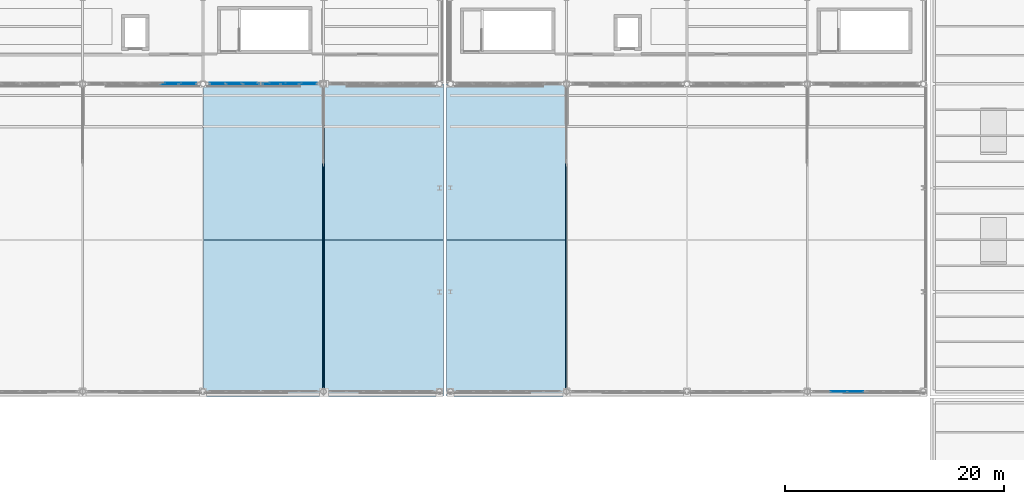
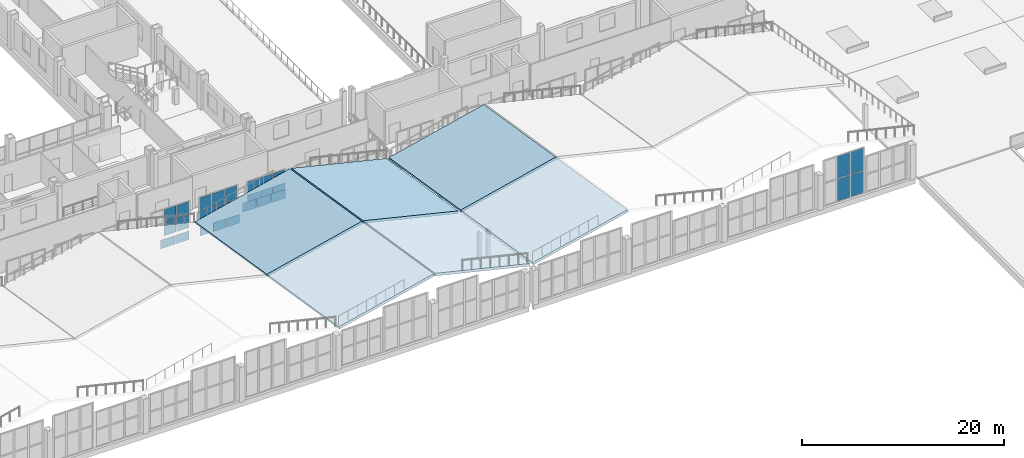
# One storey, part 82 of 120: 28 plates, 6 slabs, 7 elements without a shape of their own.
"""IFC4 building model written with IfcOpenShell, lengths in metres."""

from ifc_helpers import new_model, si_unit, direction, frame, origin, origin_2d, place, context, subcontext, project, spatial, polyline, rectangle, outline, extrude, material, layer, layer_set, type_object, element, aggregate, save


model = new_model("IFC4")

# Units and contexts
model_context = context("Model", 3, precision=1e-05, world=origin(), true_north=direction((0.0, 1.0)))
body_context = subcontext(model_context, "Body", "Model", "MODEL_VIEW")
ifc_project = project(units=[si_unit("LENGTHUNIT", "METRE"), si_unit("AREAUNIT", "SQUARE_METRE"), si_unit("VOLUMEUNIT", "CUBIC_METRE"), si_unit("PLANEANGLEUNIT", "RADIAN"), si_unit("MASSUNIT", "GRAM", prefix="KILO")], contexts=[model_context])

# Site, building, storey
site_placement = place(None, origin())
site = spatial("IfcSite", under=ifc_project, at=site_placement, CompositionType="ELEMENT")
building_placement = place(site_placement, origin())
building = spatial("IfcBuilding", under=site, at=building_placement, Name="Caurita Quay Ferry Terminal", CompositionType="ELEMENT")
storey_placement = place(building_placement, frame((0.0, 0.0, 9.89990234375)))
storey = spatial("IfcBuildingStorey", under=building, at=storey_placement, Name="L02", CompositionType="ELEMENT", Elevation=9.89990234375)

# Curtain wall, plates
ifc_material_1 = material(Name="Laminated solar-control insulated glass", Category="glass")
curtain_wall_type_1 = type_object("IfcCurtainWallType", Name="CW-SYS-13", PredefinedType="NOTDEFINED", material=ifc_material_1)
curtain_wall_1_placement = place(storey_placement, origin())
curtain_wall_1 = element("IfcCurtainWall", 1, at=curtain_wall_1_placement, inside=storey, type_object=curtain_wall_type_1, Name="Mezzanine Hall Overlook Glazing 100", PredefinedType="NOTDEFINED")
ifc_layer_1 = layer(ifc_material_1, 0.02392578125, Name="Laminated low-e hurricane-rated glazing unit 24 mm")
ifc_layer_set_1 = layer_set([ifc_layer_1], Name="Laminated solar-control insulated glass")
plate_type_1 = type_object("IfcPlateType", Name="CW-PNL-24", PredefinedType="CURTAIN_PANEL", material=ifc_layer_set_1)
plate_1_placement = place(storey_placement, frame((63.25, 62.800048828125, 0.05810546875), z_axis=(0.0, 0.0, 1.0), x_axis=(1.0, 0.0, 0.0)))
plate_1 = element("IfcPlate", 2, at=plate_1_placement, type_object=plate_type_1, Name="CW-MZL-100 Glazing Panel 3", PredefinedType="CURTAIN_PANEL", context=body_context, shape_type="SweptSolid", body=[
    extrude(rectangle(XDim=1.41064453125, YDim=0.02392578125, at=origin_2d()), origin(), (0.0, 0.0, 1.0), 1.56396484375),
])
plate_2_placement = place(storey_placement, frame((63.25, 62.800048828125, 1.67822265625), z_axis=(0.0, 0.0, 1.0), x_axis=(1.0, 0.0, 0.0)))
plate_2 = element("IfcPlate", 3, at=plate_2_placement, type_object=plate_type_1, Name="CW-MZL-100 Glazing Panel 4", PredefinedType="CURTAIN_PANEL", context=body_context, shape_type="SweptSolid", body=[
    extrude(rectangle(XDim=1.41064453125, YDim=0.02392578125, at=origin_2d()), origin(), (0.0, 0.0, 1.0), 1.56396484375),
])
plate_3_placement = place(storey_placement, frame((64.70166015625, 62.800048828125, 0.05810546875), z_axis=(0.0, 0.0, 1.0), x_axis=(1.0, 0.0, 0.0)))
plate_3 = element("IfcPlate", 4, at=plate_3_placement, type_object=plate_type_1, Name="CW-MZL-100 Glazing Panel 5", PredefinedType="CURTAIN_PANEL", context=body_context, shape_type="SweptSolid", body=[
    extrude(rectangle(XDim=1.380615234375, YDim=0.02392578125, at=origin_2d()), origin(), (0.0, 0.0, 1.0), 1.56396484375),
])
plate_4_placement = place(storey_placement, frame((64.70166015625, 62.800048828125, 1.67822265625), z_axis=(0.0, 0.0, 1.0), x_axis=(1.0, 0.0, 0.0)))
plate_4 = element("IfcPlate", 5, at=plate_4_placement, type_object=plate_type_1, Name="CW-MZL-100 Glazing Panel 6", PredefinedType="CURTAIN_PANEL", context=body_context, shape_type="SweptSolid", body=[
    extrude(rectangle(XDim=1.380615234375, YDim=0.02392578125, at=origin_2d()), origin(), (0.0, 0.0, 1.0), 1.56396484375),
])
aggregate(curtain_wall_1, [plate_1, plate_2, plate_3, plate_4])

curtain_wall_2_placement = place(storey_placement, origin())
curtain_wall_2 = element("IfcCurtainWall", 6, at=curtain_wall_2_placement, inside=storey, type_object=curtain_wall_type_1, Name="Mezzanine Hall Overlook Glazing 101", PredefinedType="NOTDEFINED")
plate_5_placement = place(storey_placement, frame((67.29833984375, 62.800048828125, 0.05810546875), z_axis=(0.0, 0.0, 1.0), x_axis=(1.0, 0.0, 0.0)))
plate_5 = element("IfcPlate", 7, at=plate_5_placement, type_object=plate_type_1, Name="CW-MZL-101 Glazing Panel 1", PredefinedType="CURTAIN_PANEL", context=body_context, shape_type="SweptSolid", body=[
    extrude(rectangle(XDim=1.380615234375, YDim=0.02392578125, at=origin_2d()), origin(), (0.0, 0.0, 1.0), 1.56396484375),
])
plate_6_placement = place(storey_placement, frame((67.29833984375, 62.800048828125, 1.67822265625), z_axis=(0.0, 0.0, 1.0), x_axis=(1.0, 0.0, 0.0)))
plate_6 = element("IfcPlate", 8, at=plate_6_placement, type_object=plate_type_1, Name="CW-MZL-101 Glazing Panel 2", PredefinedType="CURTAIN_PANEL", context=body_context, shape_type="SweptSolid", body=[
    extrude(rectangle(XDim=1.380615234375, YDim=0.02392578125, at=origin_2d()), origin(), (0.0, 0.0, 1.0), 1.56396484375),
])
plate_7_placement = place(storey_placement, frame((68.75, 62.800048828125, 0.05810546875), z_axis=(0.0, 0.0, 1.0), x_axis=(1.0, 0.0, 0.0)))
plate_7 = element("IfcPlate", 9, at=plate_7_placement, type_object=plate_type_1, Name="CW-MZL-101 Glazing Panel 3", PredefinedType="CURTAIN_PANEL", context=body_context, shape_type="SweptSolid", body=[
    extrude(rectangle(XDim=1.41064453125, YDim=0.02392578125, at=origin_2d()), origin(), (0.0, 0.0, 1.0), 1.56396484375),
])
plate_8_placement = place(storey_placement, frame((68.75, 62.800048828125, 1.67822265625), z_axis=(0.0, 0.0, 1.0), x_axis=(1.0, 0.0, 0.0)))
plate_8 = element("IfcPlate", 10, at=plate_8_placement, type_object=plate_type_1, Name="CW-MZL-101 Glazing Panel 4", PredefinedType="CURTAIN_PANEL", context=body_context, shape_type="SweptSolid", body=[
    extrude(rectangle(XDim=1.41064453125, YDim=0.02392578125, at=origin_2d()), origin(), (0.0, 0.0, 1.0), 1.56396484375),
])
plate_9_placement = place(storey_placement, frame((70.20166015625, 62.800048828125, 0.05810546875), z_axis=(0.0, 0.0, 1.0), x_axis=(1.0, 0.0, 0.0)))
plate_9 = element("IfcPlate", 11, at=plate_9_placement, type_object=plate_type_1, Name="CW-MZL-101 Glazing Panel 5", PredefinedType="CURTAIN_PANEL", context=body_context, shape_type="SweptSolid", body=[
    extrude(rectangle(XDim=1.380615234375, YDim=0.02392578125, at=origin_2d()), origin(), (0.0, 0.0, 1.0), 1.56396484375),
])
plate_10_placement = place(storey_placement, frame((70.20166015625, 62.800048828125, 1.67822265625), z_axis=(0.0, 0.0, 1.0), x_axis=(1.0, 0.0, 0.0)))
plate_10 = element("IfcPlate", 12, at=plate_10_placement, type_object=plate_type_1, Name="CW-MZL-101 Glazing Panel 6", PredefinedType="CURTAIN_PANEL", context=body_context, shape_type="SweptSolid", body=[
    extrude(rectangle(XDim=1.380615234375, YDim=0.02392578125, at=origin_2d()), origin(), (0.0, 0.0, 1.0), 1.56396484375),
])
aggregate(curtain_wall_2, [plate_5, plate_6, plate_7, plate_8, plate_9, plate_10])

curtain_wall_3_placement = place(storey_placement, origin())
curtain_wall_3 = element("IfcCurtainWall", 13, at=curtain_wall_3_placement, inside=storey, type_object=curtain_wall_type_1, Name="Mezzanine Hall Overlook Glazing 102", PredefinedType="NOTDEFINED")
plate_11_placement = place(storey_placement, frame((72.79833984375, 62.800048828125, 0.05810546875), z_axis=(0.0, 0.0, 1.0), x_axis=(1.0, 0.0, 0.0)))
plate_11 = element("IfcPlate", 14, at=plate_11_placement, type_object=plate_type_1, Name="CW-MZL-102 Glazing Panel 1", PredefinedType="CURTAIN_PANEL", context=body_context, shape_type="SweptSolid", body=[
    extrude(rectangle(XDim=1.380615234375, YDim=0.02392578125, at=origin_2d()), origin(), (0.0, 0.0, 1.0), 1.56396484375),
])
plate_12_placement = place(storey_placement, frame((72.79833984375, 62.800048828125, 1.67822265625), z_axis=(0.0, 0.0, 1.0), x_axis=(1.0, 0.0, 0.0)))
plate_12 = element("IfcPlate", 15, at=plate_12_placement, type_object=plate_type_1, Name="CW-MZL-102 Glazing Panel 2", PredefinedType="CURTAIN_PANEL", context=body_context, shape_type="SweptSolid", body=[
    extrude(rectangle(XDim=1.380615234375, YDim=0.02392578125, at=origin_2d()), origin(), (0.0, 0.0, 1.0), 1.56396484375),
])
plate_13_placement = place(storey_placement, frame((74.25, 62.800048828125, 0.05810546875), z_axis=(0.0, 0.0, 1.0), x_axis=(1.0, 0.0, 0.0)))
plate_13 = element("IfcPlate", 16, at=plate_13_placement, type_object=plate_type_1, Name="CW-MZL-102 Glazing Panel 3", PredefinedType="CURTAIN_PANEL", context=body_context, shape_type="SweptSolid", body=[
    extrude(rectangle(XDim=1.41064453125, YDim=0.02392578125, at=origin_2d()), origin(), (0.0, 0.0, 1.0), 1.56396484375),
])
plate_14_placement = place(storey_placement, frame((74.25, 62.800048828125, 1.67822265625), z_axis=(0.0, 0.0, 1.0), x_axis=(1.0, 0.0, 0.0)))
plate_14 = element("IfcPlate", 17, at=plate_14_placement, type_object=plate_type_1, Name="CW-MZL-102 Glazing Panel 4", PredefinedType="CURTAIN_PANEL", context=body_context, shape_type="SweptSolid", body=[
    extrude(rectangle(XDim=1.41064453125, YDim=0.02392578125, at=origin_2d()), origin(), (0.0, 0.0, 1.0), 1.56396484375),
])
plate_15_placement = place(storey_placement, frame((75.70166015625, 62.800048828125, 0.05810546875), z_axis=(0.0, 0.0, 1.0), x_axis=(1.0, 0.0, 0.0)))
plate_15 = element("IfcPlate", 18, at=plate_15_placement, type_object=plate_type_1, Name="CW-MZL-102 Glazing Panel 5", PredefinedType="CURTAIN_PANEL", context=body_context, shape_type="SweptSolid", body=[
    extrude(rectangle(XDim=1.380615234375, YDim=0.02392578125, at=origin_2d()), origin(), (0.0, 0.0, 1.0), 1.56396484375),
])
plate_16_placement = place(storey_placement, frame((75.70166015625, 62.800048828125, 1.67822265625), z_axis=(0.0, 0.0, 1.0), x_axis=(1.0, 0.0, 0.0)))
plate_16 = element("IfcPlate", 19, at=plate_16_placement, type_object=plate_type_1, Name="CW-MZL-102 Glazing Panel 6", PredefinedType="CURTAIN_PANEL", context=body_context, shape_type="SweptSolid", body=[
    extrude(rectangle(XDim=1.380615234375, YDim=0.02392578125, at=origin_2d()), origin(), (0.0, 0.0, 1.0), 1.56396484375),
])
aggregate(curtain_wall_3, [plate_11, plate_12, plate_13, plate_14, plate_15, plate_16])

curtain_wall_type_2 = type_object("IfcCurtainWallType", Name="CW-SYS-06", PredefinedType="NOTDEFINED", material=ifc_material_1)
curtain_wall_4_placement = place(storey_placement, origin())
curtain_wall_4 = element("IfcCurtainWall", 20, at=curtain_wall_4_placement, inside=storey, type_object=curtain_wall_type_2, Name="Folded Roof Clerestory FB-03-N4", PredefinedType="NOTDEFINED")
ifc_layer_2 = layer(ifc_material_1, 0.028076171875, Name="Laminated low-e hurricane-rated glazing unit 28 mm")
ifc_layer_set_2 = layer_set([ifc_layer_2], Name="Laminated solar-control insulated glass")
plate_type_2 = type_object("IfcPlateType", Name="CW-PNL-28", PredefinedType="CURTAIN_PANEL", material=ifc_layer_set_2)
plate_17_placement = place(storey_placement, frame((62.925048828125, 62.699951171875, -1.31005859375), z_axis=(0.0, 0.0, 1.0), x_axis=(1.0, 0.0, 0.0)))
plate_17 = element("IfcPlate", 21, at=plate_17_placement, type_object=plate_type_2, Name="CW-CLR-024 Glazing Panel 2", PredefinedType="CURTAIN_PANEL", context=body_context, shape_type="SweptSolid", body=[
    extrude(rectangle(XDim=1.6123046875, YDim=0.028076171875, at=origin_2d()), origin(), (0.0, 0.0, 1.0), 1.053955078125),
])
plate_18_placement = place(storey_placement, frame((64.589599609375, 62.699951171875, -1.31005859375), z_axis=(0.0, 0.0, 1.0), x_axis=(1.0, 0.0, 0.0)))
plate_18 = element("IfcPlate", 22, at=plate_18_placement, type_object=plate_type_2, Name="CW-CLR-024 Glazing Panel 3", PredefinedType="CURTAIN_PANEL", context=body_context, shape_type="SweptSolid", body=[
    extrude(rectangle(XDim=1.57470703125, YDim=0.028076171875, at=origin_2d()), origin(), (0.0, 0.0, 1.0), 1.053955078125),
])
aggregate(curtain_wall_4, [plate_17, plate_18])

curtain_wall_type_3 = type_object("IfcCurtainWallType", Name="CW-SYS-05", PredefinedType="NOTDEFINED", material=ifc_material_1)
curtain_wall_5_placement = place(storey_placement, origin())
curtain_wall_5 = element("IfcCurtainWall", 23, at=curtain_wall_5_placement, inside=storey, type_object=curtain_wall_type_3, Name="Folded Roof Clerestory FB-04-N1", PredefinedType="NOTDEFINED")
plate_19_placement = place(storey_placement, frame((67.34375, 62.699951171875, -1.31005859375), z_axis=(0.0, 0.0, 1.0), x_axis=(1.0, 0.0, 0.0)))
plate_19 = element("IfcPlate", 24, at=plate_19_placement, type_object=plate_type_2, Name="CW-CLR-029 Glazing Panel 1", PredefinedType="CURTAIN_PANEL", context=body_context, shape_type="SweptSolid", body=[
    extrude(rectangle(XDim=1.44140625, YDim=0.028076171875, at=origin_2d()), origin(), (0.0, 0.0, 1.0), 1.053955078125),
])
plate_20_placement = place(storey_placement, frame((68.875, 62.699951171875, -1.31005859375), z_axis=(0.0, 0.0, 1.0), x_axis=(1.0, 0.0, 0.0)))
plate_20 = element("IfcPlate", 25, at=plate_20_placement, type_object=plate_type_2, Name="CW-CLR-029 Glazing Panel 2", PredefinedType="CURTAIN_PANEL", context=body_context, shape_type="SweptSolid", body=[
    extrude(rectangle(XDim=1.47900390625, YDim=0.028076171875, at=origin_2d()), origin(), (0.0, 0.0, 1.0), 1.053955078125),
])
plate_21_placement = place(storey_placement, frame((70.40625, 62.699951171875, -1.31005859375), z_axis=(0.0, 0.0, 1.0), x_axis=(1.0, 0.0, 0.0)))
plate_21 = element("IfcPlate", 26, at=plate_21_placement, type_object=plate_type_2, Name="CW-CLR-029 Glazing Panel 3", PredefinedType="CURTAIN_PANEL", context=body_context, shape_type="SweptSolid", body=[
    extrude(rectangle(XDim=1.44140625, YDim=0.028076171875, at=origin_2d()), origin(), (0.0, 0.0, 1.0), 1.053955078125),
])
aggregate(curtain_wall_5, [plate_19, plate_20, plate_21])

curtain_wall_6_placement = place(storey_placement, origin())
curtain_wall_6 = element("IfcCurtainWall", 27, at=curtain_wall_6_placement, inside=storey, type_object=curtain_wall_type_2, Name="Folded Roof Clerestory FB-04-N2", PredefinedType="NOTDEFINED")
plate_22_placement = place(storey_placement, frame((72.260498046875, 62.699951171875, -0.14599609375), z_axis=(0.0, 0.0, 1.0), x_axis=(1.0, 0.0, 0.0)))
plate_22 = element("IfcPlate", 28, at=plate_22_placement, type_object=plate_type_2, Name="CW-CLR-030 Glazing Panel 1", PredefinedType="CURTAIN_PANEL", context=body_context, shape_type="SweptSolid", body=[
    extrude(rectangle(XDim=1.57470703125, YDim=0.028076171875, at=origin_2d()), origin(), (0.0, 0.0, 1.0), 1.053955078125),
])
plate_23_placement = place(storey_placement, frame((73.925048828125, 62.699951171875, -0.14599609375), z_axis=(0.0, 0.0, 1.0), x_axis=(1.0, 0.0, 0.0)))
plate_23 = element("IfcPlate", 29, at=plate_23_placement, type_object=plate_type_2, Name="CW-CLR-030 Glazing Panel 2", PredefinedType="CURTAIN_PANEL", context=body_context, shape_type="SweptSolid", body=[
    extrude(rectangle(XDim=1.6123046875, YDim=0.028076171875, at=origin_2d()), origin(), (0.0, 0.0, 1.0), 1.053955078125),
])
plate_24_placement = place(storey_placement, frame((75.589599609375, 62.699951171875, -0.14599609375), z_axis=(0.0, 0.0, 1.0), x_axis=(1.0, 0.0, 0.0)))
plate_24 = element("IfcPlate", 30, at=plate_24_placement, type_object=plate_type_2, Name="CW-CLR-030 Glazing Panel 3", PredefinedType="CURTAIN_PANEL", context=body_context, shape_type="SweptSolid", body=[
    extrude(rectangle(XDim=1.57470703125, YDim=0.028076171875, at=origin_2d()), origin(), (0.0, 0.0, 1.0), 1.053955078125),
])
aggregate(curtain_wall_6, [plate_22, plate_23, plate_24])

curtain_wall_type_4 = type_object("IfcCurtainWallType", Name="CW-SYS-03", PredefinedType="NOTDEFINED", material=ifc_material_1)
curtain_wall_7_placement = place(storey_placement, origin())
curtain_wall_7 = element("IfcCurtainWall", 31, at=curtain_wall_7_placement, inside=storey, type_object=curtain_wall_type_4, Name="Folded Roof Clerestory FB-06-S3", PredefinedType="NOTDEFINED")
plate_25_placement = place(storey_placement, frame((124.074951171875, 34.60009765625, 0.0732421875), z_axis=(0.0, 0.0, 1.0), x_axis=(1.0, 0.0, 0.0)))
plate_25 = element("IfcPlate", 32, at=plate_25_placement, type_object=plate_type_2, Name="CW-CLR-043 Glazing Panel 3", PredefinedType="CURTAIN_PANEL", context=body_context, shape_type="SweptSolid", body=[
    extrude(rectangle(XDim=1.47900390625, YDim=0.028076171875, at=origin_2d()), origin(), (0.0, 0.0, 1.0), 2.677978515625),
])
plate_26_placement = place(storey_placement, frame((124.074951171875, 34.60009765625, 2.822265625), z_axis=(0.0, 0.0, 1.0), x_axis=(1.0, 0.0, 0.0)))
plate_26 = element("IfcPlate", 33, at=plate_26_placement, type_object=plate_type_2, Name="CW-CLR-043 Glazing Panel 4", PredefinedType="CURTAIN_PANEL", context=body_context, shape_type="SweptSolid", body=[
    extrude(rectangle(XDim=1.47900390625, YDim=0.028076171875, at=origin_2d()), origin(), (0.0, 0.0, 1.0), 2.677978515625),
])
plate_27_placement = place(storey_placement, frame((125.606201171875, 34.60009765625, 0.0732421875), z_axis=(0.0, 0.0, 1.0), x_axis=(1.0, 0.0, 0.0)))
plate_27 = element("IfcPlate", 34, at=plate_27_placement, type_object=plate_type_2, Name="CW-CLR-043 Glazing Panel 5", PredefinedType="CURTAIN_PANEL", context=body_context, shape_type="SweptSolid", body=[
    extrude(rectangle(XDim=1.44140625, YDim=0.028076171875, at=origin_2d()), origin(), (0.0, 0.0, 1.0), 2.677978515625),
])
plate_28_placement = place(storey_placement, frame((125.606201171875, 34.60009765625, 2.822265625), z_axis=(0.0, 0.0, 1.0), x_axis=(1.0, 0.0, 0.0)))
plate_28 = element("IfcPlate", 35, at=plate_28_placement, type_object=plate_type_2, Name="CW-CLR-043 Glazing Panel 6", PredefinedType="CURTAIN_PANEL", context=body_context, shape_type="SweptSolid", body=[
    extrude(rectangle(XDim=1.44140625, YDim=0.028076171875, at=origin_2d()), origin(), (0.0, 0.0, 1.0), 2.677978515625),
])
aggregate(curtain_wall_7, [plate_25, plate_26, plate_27, plate_28])

# Slabs
ifc_material_2 = material(Name="Reinforced concrete C35/45", Category="concrete")
ifc_layer_3 = layer(ifc_material_2, 0.280029296875, Name="Reinforced concrete roof slab 280 mm")
ifc_layer_set_3 = layer_set([ifc_layer_3], Name="Reinforced concrete C35/45")
slab_type = type_object("IfcSlabType", Name="SLB-FOLD-280", PredefinedType="ROOF", material=ifc_layer_set_3)
for number, where, z_axis, x_axis, name in (
    (36, (66.0400390625, 34.199951171875, 5.169677734375), (-0.230611727555, 0.153733927912, 0.960824703327), (0.972384132882, 0.0, 0.233386156658), "Folded Concourse Roof Facet FB-04 W1"),
    (37, (66.0400390625, 48.449951171875, 2.8896484375), (-0.230611727555, 0.153733927912, 0.960824703327), (0.972384132882, 0.0, 0.233386156658), "Folded Concourse Roof Facet FB-04 W2"),
):
    element("IfcSlab", number, at=place(storey_placement, frame(where, z_axis=z_axis, x_axis=x_axis)), inside=storey, type_object=slab_type, Name=name, PredefinedType="ROOF", context=body_context, shape_type="SweptSolid", body=[
        extrude(outline(polyline([(0.0, 0.0), (11.18887324935576, 0.0), (10.656745974690594, 14.421438005905157), (-0.5321272746651661, 14.421438005905157), (0.0, 0.0)])), origin(), (0.0, 0.0, -1.0), 0.280029296875),
    ])
for number, where, z_axis, x_axis, name in (
    (38, (77.080078125, 34.199951171875, 7.781005859375), (0.230611727555, 0.153733927912, 0.960824703327), (0.972384132882, 0.0, -0.233386156658), "Folded Concourse Roof Facet FB-04 E1"),
    (39, (77.080078125, 48.449951171875, 5.5009765625), (0.230611727555, 0.153733927912, 0.960824703327), (0.972384132882, 0.0, -0.233386156658), "Folded Concourse Roof Facet FB-04 E2"),
):
    element("IfcSlab", number, at=place(storey_placement, frame(where, z_axis=z_axis, x_axis=x_axis)), inside=storey, type_object=slab_type, Name=name, PredefinedType="ROOF", context=body_context, shape_type="SweptSolid", body=[
        extrude(outline(polyline([(0.0, 0.0), (11.18887324935576, 0.0), (11.721000524020926, 14.421438005905157), (0.5321272746651661, 14.421438005905157), (0.0, 0.0)])), origin(), (0.0, 0.0, -1.0), 0.280029296875),
    ])
for number, where, z_axis, x_axis, name in (
    (40, (88.239990234375, 34.199951171875, 5.169677734375), (-0.23060682802, 0.153734111369, 0.960825849919), (0.972385321357, 0.0, 0.233381204919), "Folded Concourse Roof Facet FB-05 W1"),
    (41, (88.239990234375, 48.449951171875, 2.8896484375), (-0.23060682802, 0.153734111369, 0.960825849919), (0.972385321357, 0.0, 0.233381204919), "Folded Concourse Roof Facet FB-05 W2"),
):
    element("IfcSlab", number, at=place(storey_placement, frame(where, z_axis=z_axis, x_axis=x_axis)), inside=storey, type_object=slab_type, Name=name, PredefinedType="ROOF", context=body_context, shape_type="SweptSolid", body=[
        extrude(outline(polyline([(0.0, 0.0), (11.189110647970782, 5.551115123125783e-17), (10.656994663414544, 14.421438422487132), (-0.5321159845562384, 14.421438422487132), (0.0, 0.0)])), origin(), (0.0, 0.0, -1.0), 0.280029296875),
    ])

save(model, "model.ifc")
